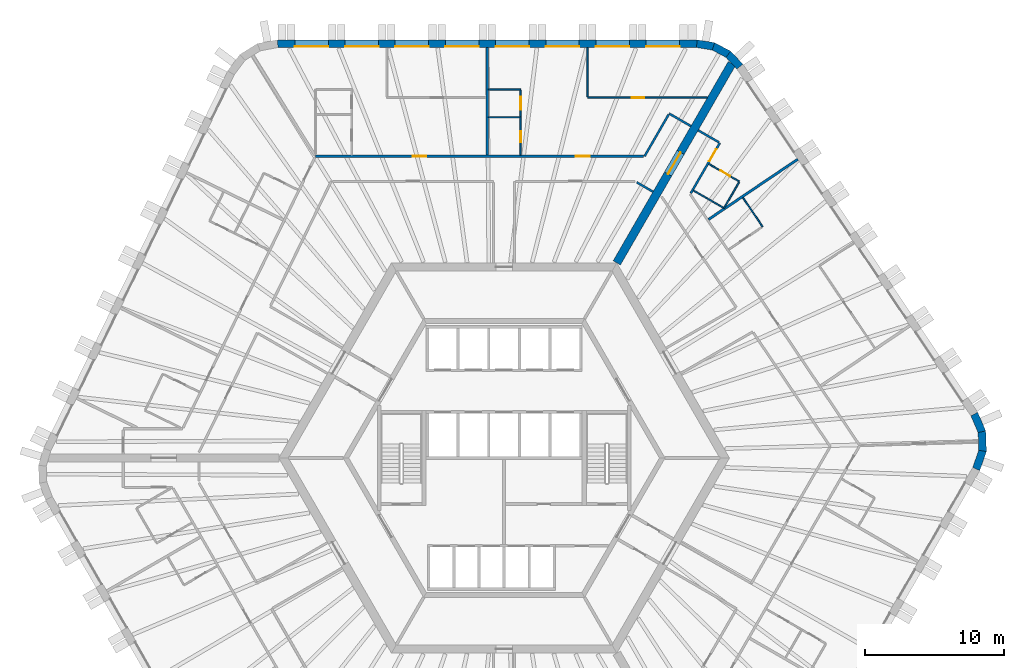
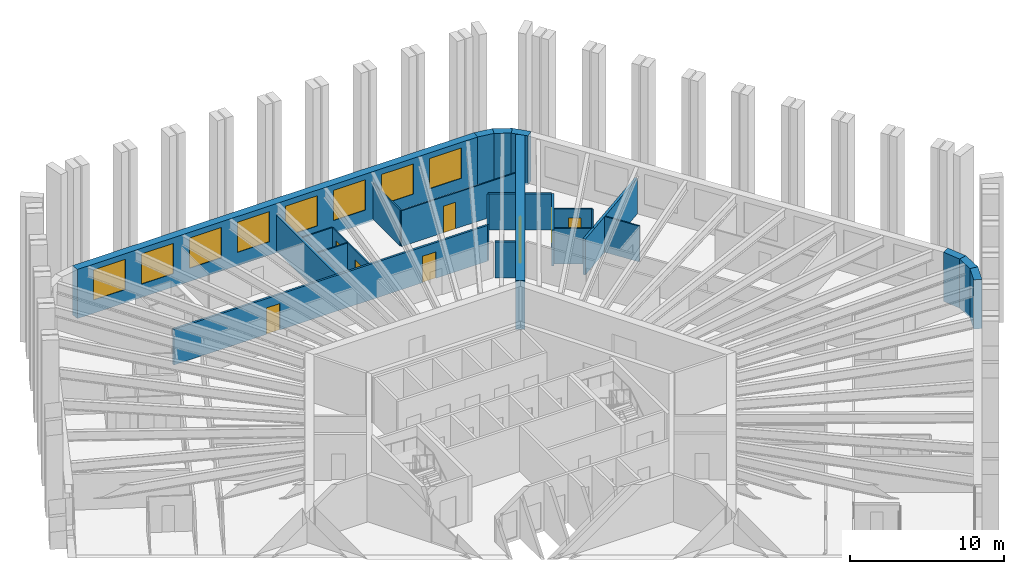
# One storey, part 10 of 13: 26 walls, 8 doors, 8 windows, 16 openings.
"""IFC4 building model written with IfcOpenShell, lengths in metres."""

from ifc_helpers import new_model, si_unit, direction, frame, frame_2d, origin, place, context, subcontext, project, spatial, polyline, rectangle, outline, extrude, material, layer, layer_set, type_object, element, fill, save


model = new_model("IFC4")

# Units and contexts
model_context = context("Model", 3, precision=1e-05, world=origin(), true_north=direction((0.0, 1.0)))
body_context = subcontext(model_context, "Body", "Model", "MODEL_VIEW")
ifc_project = project(units=[si_unit("LENGTHUNIT", "METRE"), si_unit("AREAUNIT", "SQUARE_METRE"), si_unit("VOLUMEUNIT", "CUBIC_METRE"), si_unit("PLANEANGLEUNIT", "RADIAN"), si_unit("MASSUNIT", "GRAM", prefix="KILO")], contexts=[model_context])

# Site, building, storey
site_placement = place(None, origin())
site = spatial("IfcSite", under=ifc_project, at=site_placement, CompositionType="ELEMENT")
building_placement = place(site_placement, origin())
building = spatial("IfcBuilding", under=site, at=building_placement, Name="Tarnside Tower", CompositionType="ELEMENT")
storey_placement = place(building_placement, frame((0.0, 0.0, 135.0)))
storey = spatial("IfcBuildingStorey", under=building, at=storey_placement, Name="L31", CompositionType="ELEMENT", Elevation=135.0)

# Wall, opening, door
ifc_material_1 = material(Name="Gypsum board partition on steel studs", Category="steel")
ifc_layer_1 = layer(ifc_material_1, 0.10009765625)
ifc_layer_set_1 = layer_set([ifc_layer_1], Name="Bathroom wall 100")
wall_type_1 = type_object("IfcWallType", Name="Bathroom wall 100", PredefinedType="PARTITIONING", material=ifc_layer_set_1)
wall_1_placement = place(storey_placement, frame((1.18896484375, 24.449951171875, 0.0), z_axis=(0.0, 0.0, 1.0), x_axis=(0.0, -1.0, 0.0)))
wall_1 = element("IfcWall", 1, at=wall_1_placement, inside=storey, type_object=wall_type_1, Name="Bathroom wall 10076", PredefinedType="PARTITIONING", context=body_context, shape_type="SweptSolid", body=[
    extrude(rectangle(XDim=2.724853515625, YDim=0.10009765625, at=frame_2d((1.3623046875, 0.0))), origin(), (0.0, 0.0, 1.0), 2.837890625),
])
opening_1_placement = place(wall_1_placement, frame((1.0, 0.0, 0.0)))
opening_1 = element("IfcOpeningElement", 2, at=opening_1_placement, cuts=wall_1, Name="Opening D-B1", PredefinedType="OPENING", context=body_context, shape_type="SweptSolid", body=[
    extrude(rectangle(XDim=0.800048828125, YDim=2.10009765625, at=frame_2d((0.39990234375, 1.050048828125))), frame((0.0, 0.06005859375, 0.0), z_axis=(0.0, -1.0, 0.0), x_axis=(1.0, 0.0, 0.0)), (0.0, 0.0, 1.0), 0.1201171875),
])
ifc_material_2 = material(Name="Timber door leaf", Category="wood")
door_type_1 = type_object("IfcDoorType", Name="Bathroom door 800", OperationType="NOTDEFINED", PredefinedType="DOOR", material=ifc_material_2)
door_1_placement = place(opening_1_placement, origin())
door_1 = element("IfcDoor", 3, at=door_1_placement, inside=storey, type_object=door_type_1, Name="Bathroom door 10002", OperationType="SINGLE_SWING_LEFT", OverallHeight=2.10009765625, OverallWidth=0.800048828125, PredefinedType="DOOR", context=body_context, shape_type="SweptSolid", body=[
    extrude(rectangle(XDim=0.800048828125, YDim=2.10009765625, at=frame_2d((0.39990234375, 1.050048828125))), frame((0.0, 0.02490234375, 0.0), z_axis=(0.0, -1.0, 0.0), x_axis=(1.0, 0.0, 0.0)), (0.0, 0.0, 1.0), 0.050048828125),
])
fill(opening_1, door_1)

# Walls
wall_2_placement = place(storey_placement, frame((1.138916015625, 24.449951171875, 0.0), z_axis=(0.0, 0.0, 1.0), x_axis=(-1.0, 0.0, 0.0)))
element("IfcWall", 4, at=wall_2_placement, inside=storey, type_object=wall_type_1, Name="Bathroom wall 10082", PredefinedType="PARTITIONING", context=body_context, shape_type="SweptSolid", body=[
    extrude(rectangle(XDim=2.260009765625, YDim=0.10009765625, at=frame_2d((1.1298828125, 0.0))), origin(), (0.0, 0.0, 1.0), 2.837890625),
])
wall_3_placement = place(storey_placement, frame((17.13720703125, 18.674560546875, 0.0), z_axis=(0.0, 0.0, 1.0), x_axis=(0.559203861497, -0.829030181168, 0.0)))
element("IfcWall", 5, at=wall_3_placement, inside=storey, type_object=wall_type_1, Name="Bathroom wall 10149", PredefinedType="PARTITIONING", context=body_context, shape_type="SweptSolid", body=[
    extrude(rectangle(XDim=2.510009765625, YDim=0.10009765625, at=frame_2d((1.2548828125, 0.0))), origin(), (0.0, 0.0, 1.0), 2.837890625),
])

# Wall, opening, door
wall_4_placement = place(storey_placement, frame((14.6904296875, 21.094482421875, 0.0), z_axis=(0.0, 0.0, 1.0), x_axis=(0.866039067339, -0.499976333282, 0.0)))
wall_4 = element("IfcWall", 6, at=wall_4_placement, inside=storey, type_object=wall_type_1, Name="Bathroom wall 10155", PredefinedType="PARTITIONING", context=body_context, shape_type="SweptSolid", body=[
    extrude(rectangle(XDim=2.52490234375, YDim=0.10009765625, at=frame_2d((1.262451171875, 0.0))), origin(), (0.0, 0.0, 1.0), 2.837890625),
])
opening_2_placement = place(wall_4_placement, frame((0.955078125, 0.0, 0.0)))
opening_2 = element("IfcOpeningElement", 7, at=opening_2_placement, cuts=wall_4, Name="Opening D-B1", PredefinedType="OPENING", context=body_context, shape_type="SweptSolid", body=[
    extrude(rectangle(XDim=0.800048828125, YDim=2.10009765625, at=frame_2d((0.39990234375, 1.050048828125))), frame((0.0, 0.06005859375, 0.0), z_axis=(0.0, -1.0, 0.0), x_axis=(1.0, 0.0, 0.0)), (0.0, 0.0, 1.0), 0.1201171875),
])
door_2_placement = place(opening_2_placement, origin())
door_2 = element("IfcDoor", 8, at=door_2_placement, inside=storey, type_object=door_type_1, Name="Bathroom door 10041", OperationType="SINGLE_SWING_LEFT", OverallHeight=2.10009765625, OverallWidth=0.800048828125, PredefinedType="DOOR", context=body_context, shape_type="SweptSolid", body=[
    extrude(rectangle(XDim=0.800048828125, YDim=2.10009765625, at=frame_2d((0.39990234375, 1.050048828125))), frame((0.0, 0.02490234375, 0.0), z_axis=(0.0, -1.0, 0.0), x_axis=(1.0, 0.0, 0.0)), (0.0, 0.0, 1.0), 0.050048828125),
])
fill(opening_2, door_2)

# Walls
wall_5_placement = place(storey_placement, frame((16.85205078125, 19.788818359375, 0.0), z_axis=(0.0, 0.0, 1.0), x_axis=(-0.499961633463, -0.866047553582, 0.0)))
element("IfcWall", 9, at=wall_5_placement, inside=storey, type_object=wall_type_1, Name="Bathroom wall 10156", PredefinedType="PARTITIONING", context=body_context, shape_type="SweptSolid", body=[
    extrude(rectangle(XDim=2.150146484375, YDim=0.10009765625, at=frame_2d((1.0751953125, 0.0))), origin(), (0.0, 0.0, 1.0), 2.837890625),
])
wall_6_placement = place(storey_placement, frame((15.73388671875, 17.95166015625, 0.0), z_axis=(0.0, 0.0, 1.0), x_axis=(-0.866031185235, 0.4999899861, 0.0)))
element("IfcWall", 10, at=wall_6_placement, inside=storey, type_object=wall_type_1, Name="Bathroom wall 10157", PredefinedType="PARTITIONING", context=body_context, shape_type="SweptSolid", body=[
    extrude(rectangle(XDim=2.47509765625, YDim=0.10009765625, at=frame_2d((1.237548828125, 0.0))), origin(), (0.0, 0.0, 1.0), 2.837890625),
])

# Wall, opening, door
ifc_material_3 = material(Name="Concrete C80/95", Category="concrete")
ifc_layer_2 = layer(ifc_material_3, 0.60009765625)
ifc_layer_set_2 = layer_set([ifc_layer_2], Name="Core wall Z1 600 C80/95")
wall_type_2 = type_object("IfcWallType", Name="Core wall Z1 600 C80/95", PredefinedType="SHEAR", material=ifc_layer_set_2)
wall_7_placement = place(storey_placement, frame((8.0830078125, 14.0, -0.14990234375), z_axis=(0.0, 0.0, 1.0), x_axis=(0.499997680643, 0.866026742862, 0.0)))
wall_7 = element("IfcWall", 11, at=wall_7_placement, inside=storey, type_object=wall_type_2, Name="L31 spine wall 1", PredefinedType="SHEAR", context=body_context, shape_type="SweptSolid", body=[
    extrude(rectangle(XDim=16.5087890625, YDim=0.60009765625, at=frame_2d((8.25439453125, 0.0))), origin(), (0.0, 0.0, 1.0), 3.89990234375),
])
opening_3_placement = place(wall_7_placement, frame((7.3544921875, 0.0, 0.14990234375)))
opening_3 = element("IfcOpeningElement", 12, at=opening_3_placement, cuts=wall_7, Name="Opening CD-SPN", PredefinedType="OPENING", context=body_context, shape_type="SweptSolid", body=[
    extrude(rectangle(XDim=1.800048828125, YDim=2.39990234375, at=frame_2d((0.89990234375, 1.199951171875))), frame((0.0, 0.31005859375, 0.0), z_axis=(0.0, -1.0, 0.0), x_axis=(1.0, 0.0, 0.0)), (0.0, 0.0, 1.0), 0.6201171875),
])
ifc_material_4 = material(Name="Steel fire door", Category="steel")
door_type_2 = type_object("IfcDoorType", Name="Spine passage double door FD60 1800x2400", OperationType="NOTDEFINED", PredefinedType="DOOR", material=ifc_material_4)
door_3_placement = place(opening_3_placement, origin())
door_3 = element("IfcDoor", 13, at=door_3_placement, inside=storey, type_object=door_type_2, Name="L31 spine passage door 1", OperationType="DOUBLE_DOOR_SINGLE_SWING", OverallHeight=2.39990234375, OverallWidth=1.800048828125, PredefinedType="DOOR", context=body_context, shape_type="SweptSolid", body=[
    extrude(rectangle(XDim=1.800048828125, YDim=2.39990234375, at=frame_2d((0.89990234375, 1.199951171875))), frame((0.0, 0.02490234375, 0.0), z_axis=(0.0, -1.0, 0.0), x_axis=(1.0, 0.0, 0.0)), (0.0, 0.0, 1.0), 0.050048828125),
])
fill(opening_3, door_3)

# Walls
ifc_layer_3 = layer(ifc_material_1, 0.14990234375)
ifc_layer_set_3 = layer_set([ifc_layer_3], Name="Corridor wall 150 EI 60")
wall_type_3 = type_object("IfcWallType", Name="Corridor wall 150 EI 60", PredefinedType="PARTITIONING", material=ifc_layer_set_3)
wall_8_placement = place(storey_placement, frame((13.400390625, 23.81005859375, 0.0), z_axis=(0.0, 0.0, 1.0), x_axis=(-0.865989075817, 0.500062916607, 0.0)))
element("IfcWall", 14, at=wall_8_placement, inside=storey, type_object=wall_type_3, Name="Corridor wall 10001", PredefinedType="PARTITIONING", context=body_context, shape_type="SweptSolid", body=[
    extrude(rectangle(XDim=1.800048828125, YDim=0.14990234375, at=frame_2d((0.89990234375, 0.0))), origin(), (0.0, 0.0, 1.0), 2.837890625),
])
wall_9_placement = place(storey_placement, frame((11.803955078125, 24.64501953125, 0.0), z_axis=(0.0, 0.0, 1.0), x_axis=(-0.500003541824, -0.866023358902, 0.0)))
element("IfcWall", 15, at=wall_9_placement, inside=storey, type_object=wall_type_3, Name="Corridor wall 10002", PredefinedType="PARTITIONING", context=body_context, shape_type="SweptSolid", body=[
    extrude(rectangle(XDim=3.45849609375, YDim=0.14990234375, at=frame_2d((1.729248046875, 0.0))), origin(), (0.0, 0.0, 1.0), 2.837890625),
])

# Wall, openings, doors
wall_10_placement = place(storey_placement, frame((9.988037109375, 21.64990234375, 0.0), z_axis=(0.0, 0.0, 1.0), x_axis=(-1.0, 0.0, 0.0)))
wall_10 = element("IfcWall", 16, at=wall_10_placement, inside=storey, type_object=wall_type_3, Name="Corridor wall 10003", PredefinedType="PARTITIONING", context=body_context, shape_type="SweptSolid", body=[
    extrude(rectangle(XDim=23.516357421875, YDim=0.14990234375, at=frame_2d((11.75830078125, 0.0))), origin(), (0.0, 0.0, 1.0), 2.837890625),
])
opening_4_placement = place(wall_10_placement, frame((3.856201171875, 0.0, 0.0)))
opening_4 = element("IfcOpeningElement", 17, at=opening_4_placement, cuts=wall_10, Name="Opening D-E1", PredefinedType="OPENING", context=body_context, shape_type="SweptSolid", body=[
    extrude(rectangle(XDim=1.0, YDim=2.10009765625, at=frame_2d((0.5, 1.050048828125))), frame((0.0, 0.0849609375, 0.0), z_axis=(0.0, -1.0, 0.0), x_axis=(1.0, 0.0, 0.0)), (0.0, 0.0, 1.0), 0.169921875),
])
opening_5_placement = place(wall_10_placement, frame((15.557861328125, 0.0, 0.0)))
opening_5 = element("IfcOpeningElement", 18, at=opening_5_placement, cuts=wall_10, Name="Opening D-E1", PredefinedType="OPENING", context=body_context, shape_type="SweptSolid", body=[
    extrude(rectangle(XDim=1.0, YDim=2.10009765625, at=frame_2d((0.5, 1.050048828125))), frame((0.0, 0.0849609375, 0.0), z_axis=(0.0, -1.0, 0.0), x_axis=(1.0, 0.0, 0.0)), (0.0, 0.0, 1.0), 0.169921875),
])
door_type_3 = type_object("IfcDoorType", Name="Unit entrance door 1000 FD30S", OperationType="NOTDEFINED", PredefinedType="DOOR", material=ifc_material_2)
door_4_placement = place(opening_4_placement, origin())
door_4 = element("IfcDoor", 19, at=door_4_placement, inside=storey, type_object=door_type_3, Name="Unit door 10001", OperationType="SINGLE_SWING_RIGHT", OverallHeight=2.10009765625, OverallWidth=1.0, PredefinedType="DOOR", context=body_context, shape_type="SweptSolid", body=[
    extrude(rectangle(XDim=1.0, YDim=2.10009765625, at=frame_2d((0.5, 1.050048828125))), frame((0.0, 0.02490234375, 0.0), z_axis=(0.0, -1.0, 0.0), x_axis=(1.0, 0.0, 0.0)), (0.0, 0.0, 1.0), 0.050048828125),
])
fill(opening_4, door_4)
door_5_placement = place(opening_5_placement, origin())
door_5 = element("IfcDoor", 20, at=door_5_placement, inside=storey, type_object=door_type_3, Name="Unit door 10005", OperationType="SINGLE_SWING_LEFT", OverallHeight=2.10009765625, OverallWidth=1.0, PredefinedType="DOOR", context=body_context, shape_type="SweptSolid", body=[
    extrude(rectangle(XDim=1.0, YDim=2.10009765625, at=frame_2d((0.5, 1.050048828125))), frame((0.0, 0.02490234375, 0.0), z_axis=(0.0, -1.0, 0.0), x_axis=(1.0, 0.0, 0.0)), (0.0, 0.0, 1.0), 0.050048828125),
])
fill(opening_5, door_5)

# Wall
wall_11_placement = place(storey_placement, frame((9.51904296875, 19.77490234375, 0.0), z_axis=(0.0, 0.0, 1.0), x_axis=(0.866043397086, -0.499968833392, 0.0)))
element("IfcWall", 21, at=wall_11_placement, inside=storey, type_object=wall_type_3, Name="Corridor wall 10022", PredefinedType="PARTITIONING", context=body_context, shape_type="SweptSolid", body=[
    extrude(rectangle(XDim=1.34375, YDim=0.14990234375, at=frame_2d((0.671875, 0.0))), origin(), (0.0, 0.0, 1.0), 2.837890625),
])

# Wall, opening, door
wall_12_placement = place(storey_placement, frame((13.39208984375, 18.995849609375, 0.0), z_axis=(0.0, 0.0, 1.0), x_axis=(0.499995902753, 0.866027769318, 0.0)))
wall_12 = element("IfcWall", 22, at=wall_12_placement, inside=storey, type_object=wall_type_3, Name="Corridor wall 10063", PredefinedType="PARTITIONING", context=body_context, shape_type="SweptSolid", body=[
    extrude(rectangle(XDim=4.17333984375, YDim=0.14990234375, at=frame_2d((2.086669921875, 0.0))), origin(), (0.0, 0.0, 1.0), 2.837890625),
])
opening_6_placement = place(wall_12_placement, frame((2.64501953125, 0.0, 0.0)))
opening_6 = element("IfcOpeningElement", 23, at=opening_6_placement, cuts=wall_12, Name="Opening D-E1", PredefinedType="OPENING", context=body_context, shape_type="SweptSolid", body=[
    extrude(rectangle(XDim=1.0, YDim=2.10009765625, at=frame_2d((0.5, 1.050048828125))), frame((0.0, 0.0849609375, 0.0), z_axis=(0.0, -1.0, 0.0), x_axis=(1.0, 0.0, 0.0)), (0.0, 0.0, 1.0), 0.169921875),
])
door_6_placement = place(opening_6_placement, origin())
door_6 = element("IfcDoor", 24, at=door_6_placement, inside=storey, type_object=door_type_3, Name="Unit door 10040", OperationType="SINGLE_SWING_LEFT", OverallHeight=2.10009765625, OverallWidth=1.0, PredefinedType="DOOR", context=body_context, shape_type="SweptSolid", body=[
    extrude(rectangle(XDim=1.0, YDim=2.10009765625, at=frame_2d((0.5, 1.050048828125))), frame((0.0, 0.02490234375, 0.0), z_axis=(0.0, -1.0, 0.0), x_axis=(1.0, 0.0, 0.0)), (0.0, 0.0, 1.0), 0.050048828125),
])
fill(opening_6, door_6)

# Walls
wall_13_placement = place(storey_placement, frame((15.413818359375, 22.647705078125, 0.0), z_axis=(0.0, 0.0, 1.0), x_axis=(-0.866074815912, 0.499914405916, 0.0)))
element("IfcWall", 25, at=wall_13_placement, inside=storey, type_object=wall_type_3, Name="Corridor wall 10065", PredefinedType="PARTITIONING", context=body_context, shape_type="SweptSolid", body=[
    extrude(rectangle(XDim=1.724853515625, YDim=0.14990234375, at=frame_2d((0.8623046875, 0.0))), origin(), (0.0, 0.0, 1.0), 2.837890625),
])
ifc_layer_4 = layer(ifc_material_1, 0.179931640625)
ifc_layer_set_4 = layer_set([ifc_layer_4], Name="Demising wall 180 EI 60")
wall_type_4 = type_object("IfcWallType", Name="Demising wall 180 EI 60", PredefinedType="PARTITIONING", material=ifc_layer_set_4)
wall_14_placement = place(storey_placement, frame((-1.2109375, 29.449951171875, 0.0), z_axis=(0.0, 0.0, 1.0), x_axis=(0.0, -1.0, 0.0)))
element("IfcWall", 26, at=wall_14_placement, inside=storey, type_object=wall_type_4, Name="Demising wall 10081", PredefinedType="PARTITIONING", context=body_context, shape_type="SweptSolid", body=[
    extrude(rectangle(XDim=7.724853515625, YDim=0.179931640625, at=frame_2d((3.8623046875, 0.0))), origin(), (0.0, 0.0, 1.0), 2.837890625),
])
wall_15_placement = place(storey_placement, frame((21.066162109375, 21.433349609375, 0.0), z_axis=(0.0, 0.0, 1.0), x_axis=(-0.82903328576, -0.559199258853, 0.0)))
element("IfcWall", 27, at=wall_15_placement, inside=storey, type_object=wall_type_4, Name="Demising wall 10153", PredefinedType="PARTITIONING", context=body_context, shape_type="SweptSolid", body=[
    extrude(rectangle(XDim=7.72509765625, YDim=0.179931640625, at=frame_2d((3.862548828125, 0.0))), origin(), (0.0, 0.0, 1.0), 2.837890625),
])
ifc_layer_5 = layer(ifc_material_1, 0.10009765625)
ifc_layer_set_5 = layer_set([ifc_layer_5], Name="Partition 100")
wall_type_5 = type_object("IfcWallType", Name="Partition 100", PredefinedType="PARTITIONING", material=ifc_layer_set_5)
wall_16_placement = place(storey_placement, frame((-1.12109375, 26.449951171875, 0.0), z_axis=(0.0, 0.0, 1.0), x_axis=(1.0, 0.0, 0.0)))
element("IfcWall", 28, at=wall_16_placement, inside=storey, type_object=wall_type_5, Name="Partition wall 10077", PredefinedType="PARTITIONING", context=body_context, shape_type="SweptSolid", body=[
    extrude(rectangle(XDim=2.31005859375, YDim=0.10009765625, at=frame_2d((1.155029296875, 0.0))), origin(), (0.0, 0.0, 1.0), 2.837890625),
])

# Wall, opening, door
wall_17_placement = place(storey_placement, frame((1.18896484375, 26.39990234375, 0.0), z_axis=(0.0, 0.0, 1.0), x_axis=(0.0, -1.0, 0.0)))
wall_17 = element("IfcWall", 29, at=wall_17_placement, inside=storey, type_object=wall_type_5, Name="Partition wall 10078", PredefinedType="PARTITIONING", context=body_context, shape_type="SweptSolid", body=[
    extrude(rectangle(XDim=1.89990234375, YDim=0.10009765625, at=frame_2d((0.949951171875, 0.0))), origin(), (0.0, 0.0, 1.0), 2.837890625),
])
opening_7_placement = place(wall_17_placement, frame((0.5, 0.0, 0.0)))
opening_7 = element("IfcOpeningElement", 30, at=opening_7_placement, cuts=wall_17, Name="Opening D-I1", PredefinedType="OPENING", context=body_context, shape_type="SweptSolid", body=[
    extrude(rectangle(XDim=0.89990234375, YDim=2.10009765625, at=frame_2d((0.449951171875, 1.050048828125))), frame((0.0, 0.06005859375, 0.0), z_axis=(0.0, -1.0, 0.0), x_axis=(1.0, 0.0, 0.0)), (0.0, 0.0, 1.0), 0.1201171875),
])
door_type_4 = type_object("IfcDoorType", Name="Internal door 900", OperationType="NOTDEFINED", PredefinedType="DOOR", material=ifc_material_2)
door_7_placement = place(opening_7_placement, origin())
door_7 = element("IfcDoor", 31, at=door_7_placement, inside=storey, type_object=door_type_4, Name="Internal door 10003", OperationType="SINGLE_SWING_LEFT", OverallHeight=2.10009765625, OverallWidth=0.89990234375, PredefinedType="DOOR", context=body_context, shape_type="SweptSolid", body=[
    extrude(rectangle(XDim=0.89990234375, YDim=2.10009765625, at=frame_2d((0.449951171875, 1.050048828125))), frame((0.0, 0.02490234375, 0.0), z_axis=(0.0, -1.0, 0.0), x_axis=(1.0, 0.0, 0.0)), (0.0, 0.0, 1.0), 0.050048828125),
])
fill(opening_7, door_7)

wall_18_placement = place(storey_placement, frame((14.578125, 25.85009765625, 0.0), z_axis=(0.0, 0.0, 1.0), x_axis=(-1.0, 0.0, 0.0)))
wall_18 = element("IfcWall", 32, at=wall_18_placement, inside=storey, type_object=wall_type_5, Name="Partition wall 10079", PredefinedType="PARTITIONING", context=body_context, shape_type="SweptSolid", body=[
    extrude(rectangle(XDim=8.589111328125, YDim=0.10009765625, at=frame_2d((4.29443359375, 0.0))), origin(), (0.0, 0.0, 1.0), 2.837890625),
])
opening_8_placement = place(wall_18_placement, frame((4.5390625, 0.0, 0.0)))
opening_8 = element("IfcOpeningElement", 33, at=opening_8_placement, cuts=wall_18, Name="Opening D-I1", PredefinedType="OPENING", context=body_context, shape_type="SweptSolid", body=[
    extrude(rectangle(XDim=0.89990234375, YDim=2.10009765625, at=frame_2d((0.449951171875, 1.050048828125))), frame((0.0, 0.06005859375, 0.0), z_axis=(0.0, -1.0, 0.0), x_axis=(1.0, 0.0, 0.0)), (0.0, 0.0, 1.0), 0.1201171875),
])
door_8_placement = place(opening_8_placement, origin())
door_8 = element("IfcDoor", 34, at=door_8_placement, inside=storey, type_object=door_type_4, Name="Internal door 10004", OperationType="SINGLE_SWING_LEFT", OverallHeight=2.10009765625, OverallWidth=0.89990234375, PredefinedType="DOOR", context=body_context, shape_type="SweptSolid", body=[
    extrude(rectangle(XDim=0.89990234375, YDim=2.10009765625, at=frame_2d((0.449951171875, 1.050048828125))), frame((0.0, 0.02490234375, 0.0), z_axis=(0.0, -1.0, 0.0), x_axis=(1.0, 0.0, 0.0)), (0.0, 0.0, 1.0), 0.050048828125),
])
fill(opening_8, door_8)

# Wall
wall_19_placement = place(storey_placement, frame((5.989013671875, 25.89990234375, 0.0), z_axis=(0.0, 0.0, 1.0), x_axis=(0.0, 1.0, 0.0)))
element("IfcWall", 35, at=wall_19_placement, inside=storey, type_object=wall_type_5, Name="Partition wall 10080", PredefinedType="PARTITIONING", context=body_context, shape_type="SweptSolid", body=[
    extrude(rectangle(XDim=3.550048828125, YDim=0.10009765625, at=frame_2d((1.77490234375, 0.0))), origin(), (0.0, 0.0, 1.0), 2.837890625),
])

# Wall, openings, windows
ifc_material_5 = material(Name="Facing brick", Category="masonry")
ifc_layer_6 = layer(ifc_material_5, 0.10205078125)
ifc_material_6 = material(Name="Concrete C60/75 precast", Category="concrete")
ifc_layer_7 = layer(ifc_material_6, 0.347900390625)
ifc_material_7 = material(Name="Mineral wool insulation")
ifc_layer_8 = layer(ifc_material_7, 0.10009765625)
ifc_layer_set_6 = layer_set([ifc_layer_6, ifc_layer_7, ifc_layer_8], Name="Tube wall 550 brick faced")
wall_type_6 = type_object("IfcWallType", Name="Tube wall 550 brick faced", PredefinedType="SOLIDWALL", material=ifc_layer_set_6)
wall_20_placement = place(storey_placement, frame((13.824462890625, 29.72509765625, -0.14990234375), z_axis=(0.0, 0.0, 1.0), x_axis=(-1.0, 0.0, 0.0)))
wall_20 = element("IfcWall", 36, at=wall_20_placement, inside=storey, type_object=wall_type_6, Name="Tube wall L31 F1 flush 00", PredefinedType="SOLIDWALL", context=body_context, shape_type="SweptSolid", body=[
    extrude(outline(polyline([(-0.0224609375, -0.27490234375), (30.0966796875, -0.27490234375), (30.04541015625, 0.27490234375), (0.0224609375, 0.27490234375), (-0.0224609375, -0.27490234375)])), origin(), (0.0, 0.0, 1.0), 3.89990234375),
])
opening_9_placement = place(wall_20_placement, frame((1.235595703125, 0.0, 1.050048828125)))
opening_9 = element("IfcOpeningElement", 37, at=opening_9_placement, cuts=wall_20, Name="Opening WH", PredefinedType="OPENING", context=body_context, shape_type="SweptSolid", body=[
    extrude(rectangle(XDim=2.39990234375, YDim=2.39990234375, at=frame_2d((1.199951171875, 1.199951171875))), frame((0.0, 0.28515625, 0.0), z_axis=(0.0, -1.0, 0.0), x_axis=(1.0, 0.0, 0.0)), (0.0, 0.0, 1.0), 0.570068359375),
])
opening_10_placement = place(wall_20_placement, frame((4.83544921875, 0.0, 1.050048828125)))
opening_10 = element("IfcOpeningElement", 38, at=opening_10_placement, cuts=wall_20, Name="Opening WH", PredefinedType="OPENING", context=body_context, shape_type="SweptSolid", body=[
    extrude(rectangle(XDim=2.39990234375, YDim=2.39990234375, at=frame_2d((1.199951171875, 1.199951171875))), frame((0.0, 0.28515625, 0.0), z_axis=(0.0, -1.0, 0.0), x_axis=(1.0, 0.0, 0.0)), (0.0, 0.0, 1.0), 0.570068359375),
])
opening_11_placement = place(wall_20_placement, frame((8.435546875, 0.0, 1.050048828125)))
opening_11 = element("IfcOpeningElement", 39, at=opening_11_placement, cuts=wall_20, Name="Opening WH", PredefinedType="OPENING", context=body_context, shape_type="SweptSolid", body=[
    extrude(rectangle(XDim=2.39990234375, YDim=2.39990234375, at=frame_2d((1.199951171875, 1.199951171875))), frame((0.0, 0.28515625, 0.0), z_axis=(0.0, -1.0, 0.0), x_axis=(1.0, 0.0, 0.0)), (0.0, 0.0, 1.0), 0.570068359375),
])
opening_12_placement = place(wall_20_placement, frame((12.035400390625, 0.0, 1.050048828125)))
opening_12 = element("IfcOpeningElement", 40, at=opening_12_placement, cuts=wall_20, Name="Opening WH", PredefinedType="OPENING", context=body_context, shape_type="SweptSolid", body=[
    extrude(rectangle(XDim=2.39990234375, YDim=2.39990234375, at=frame_2d((1.199951171875, 1.199951171875))), frame((0.0, 0.28515625, 0.0), z_axis=(0.0, -1.0, 0.0), x_axis=(1.0, 0.0, 0.0)), (0.0, 0.0, 1.0), 0.570068359375),
])
opening_13_placement = place(wall_20_placement, frame((15.635498046875, 0.0, 1.050048828125)))
opening_13 = element("IfcOpeningElement", 41, at=opening_13_placement, cuts=wall_20, Name="Opening WH", PredefinedType="OPENING", context=body_context, shape_type="SweptSolid", body=[
    extrude(rectangle(XDim=2.39990234375, YDim=2.39990234375, at=frame_2d((1.199951171875, 1.199951171875))), frame((0.0, 0.28515625, 0.0), z_axis=(0.0, -1.0, 0.0), x_axis=(1.0, 0.0, 0.0)), (0.0, 0.0, 1.0), 0.570068359375),
])
opening_14_placement = place(wall_20_placement, frame((19.235595703125, 0.0, 1.050048828125)))
opening_14 = element("IfcOpeningElement", 42, at=opening_14_placement, cuts=wall_20, Name="Opening WH", PredefinedType="OPENING", context=body_context, shape_type="SweptSolid", body=[
    extrude(rectangle(XDim=2.39990234375, YDim=2.39990234375, at=frame_2d((1.199951171875, 1.199951171875))), frame((0.0, 0.28515625, 0.0), z_axis=(0.0, -1.0, 0.0), x_axis=(1.0, 0.0, 0.0)), (0.0, 0.0, 1.0), 0.570068359375),
])
opening_15_placement = place(wall_20_placement, frame((22.83544921875, 0.0, 1.050048828125)))
opening_15 = element("IfcOpeningElement", 43, at=opening_15_placement, cuts=wall_20, Name="Opening WH", PredefinedType="OPENING", context=body_context, shape_type="SweptSolid", body=[
    extrude(rectangle(XDim=2.39990234375, YDim=2.39990234375, at=frame_2d((1.199951171875, 1.199951171875))), frame((0.0, 0.28515625, 0.0), z_axis=(0.0, -1.0, 0.0), x_axis=(1.0, 0.0, 0.0)), (0.0, 0.0, 1.0), 0.570068359375),
])
opening_16_placement = place(wall_20_placement, frame((26.435546875, 0.0, 1.050048828125)))
opening_16 = element("IfcOpeningElement", 44, at=opening_16_placement, cuts=wall_20, Name="Opening WH", PredefinedType="OPENING", context=body_context, shape_type="SweptSolid", body=[
    extrude(rectangle(XDim=2.39990234375, YDim=2.39990234375, at=frame_2d((1.199951171875, 1.199951171875))), frame((0.0, 0.28515625, 0.0), z_axis=(0.0, -1.0, 0.0), x_axis=(1.0, 0.0, 0.0)), (0.0, 0.0, 1.0), 0.570068359375),
])
ifc_material_8 = material(Name="Aluminium-framed double glazing", Category="aluminium")
window_type = type_object("IfcWindowType", Name="Hotel window 2400 x 2400", PartitioningType="DOUBLE_PANEL_VERTICAL", PredefinedType="WINDOW", material=ifc_material_8)
window_1_placement = place(opening_9_placement, frame((0.0, 0.205078125, 0.0)))
window_1 = element("IfcWindow", 45, at=window_1_placement, inside=storey, type_object=window_type, Name="E.WN.L31.F1.00", OverallHeight=2.39990234375, OverallWidth=2.39990234375, PartitioningType="DOUBLE_PANEL_VERTICAL", PredefinedType="WINDOW", context=body_context, shape_type="SweptSolid", body=[
    extrude(rectangle(XDim=2.39990234375, YDim=2.39990234375, at=frame_2d((1.199951171875, 1.199951171875))), frame((0.0, 0.030029296875, 0.0), z_axis=(0.0, -1.0, 0.0), x_axis=(1.0, 0.0, 0.0)), (0.0, 0.0, 1.0), 0.06005859375),
])
fill(opening_9, window_1)
window_2_placement = place(opening_10_placement, frame((0.0, 0.205078125, 0.0)))
window_2 = element("IfcWindow", 46, at=window_2_placement, inside=storey, type_object=window_type, Name="E.WN.L31.F1.01", OverallHeight=2.39990234375, OverallWidth=2.39990234375, PartitioningType="DOUBLE_PANEL_VERTICAL", PredefinedType="WINDOW", context=body_context, shape_type="SweptSolid", body=[
    extrude(rectangle(XDim=2.39990234375, YDim=2.39990234375, at=frame_2d((1.199951171875, 1.199951171875))), frame((0.0, 0.030029296875, 0.0), z_axis=(0.0, -1.0, 0.0), x_axis=(1.0, 0.0, 0.0)), (0.0, 0.0, 1.0), 0.06005859375),
])
fill(opening_10, window_2)
window_3_placement = place(opening_11_placement, frame((0.0, 0.205078125, 0.0)))
window_3 = element("IfcWindow", 47, at=window_3_placement, inside=storey, type_object=window_type, Name="E.WN.L31.F1.02", OverallHeight=2.39990234375, OverallWidth=2.39990234375, PartitioningType="DOUBLE_PANEL_VERTICAL", PredefinedType="WINDOW", context=body_context, shape_type="SweptSolid", body=[
    extrude(rectangle(XDim=2.39990234375, YDim=2.39990234375, at=frame_2d((1.199951171875, 1.199951171875))), frame((0.0, 0.030029296875, 0.0), z_axis=(0.0, -1.0, 0.0), x_axis=(1.0, 0.0, 0.0)), (0.0, 0.0, 1.0), 0.06005859375),
])
fill(opening_11, window_3)
window_4_placement = place(opening_12_placement, frame((0.0, 0.205078125, 0.0)))
window_4 = element("IfcWindow", 48, at=window_4_placement, inside=storey, type_object=window_type, Name="E.WN.L31.F1.03", OverallHeight=2.39990234375, OverallWidth=2.39990234375, PartitioningType="DOUBLE_PANEL_VERTICAL", PredefinedType="WINDOW", context=body_context, shape_type="SweptSolid", body=[
    extrude(rectangle(XDim=2.39990234375, YDim=2.39990234375, at=frame_2d((1.199951171875, 1.199951171875))), frame((0.0, 0.030029296875, 0.0), z_axis=(0.0, -1.0, 0.0), x_axis=(1.0, 0.0, 0.0)), (0.0, 0.0, 1.0), 0.06005859375),
])
fill(opening_12, window_4)
window_5_placement = place(opening_13_placement, frame((0.0, 0.205078125, 0.0)))
window_5 = element("IfcWindow", 49, at=window_5_placement, inside=storey, type_object=window_type, Name="E.WN.L31.F1.04", OverallHeight=2.39990234375, OverallWidth=2.39990234375, PartitioningType="DOUBLE_PANEL_VERTICAL", PredefinedType="WINDOW", context=body_context, shape_type="SweptSolid", body=[
    extrude(rectangle(XDim=2.39990234375, YDim=2.39990234375, at=frame_2d((1.199951171875, 1.199951171875))), frame((0.0, 0.030029296875, 0.0), z_axis=(0.0, -1.0, 0.0), x_axis=(1.0, 0.0, 0.0)), (0.0, 0.0, 1.0), 0.06005859375),
])
fill(opening_13, window_5)
window_6_placement = place(opening_14_placement, frame((0.0, 0.205078125, 0.0)))
window_6 = element("IfcWindow", 50, at=window_6_placement, inside=storey, type_object=window_type, Name="E.WN.L31.F1.05", OverallHeight=2.39990234375, OverallWidth=2.39990234375, PartitioningType="DOUBLE_PANEL_VERTICAL", PredefinedType="WINDOW", context=body_context, shape_type="SweptSolid", body=[
    extrude(rectangle(XDim=2.39990234375, YDim=2.39990234375, at=frame_2d((1.199951171875, 1.199951171875))), frame((0.0, 0.030029296875, 0.0), z_axis=(0.0, -1.0, 0.0), x_axis=(1.0, 0.0, 0.0)), (0.0, 0.0, 1.0), 0.06005859375),
])
fill(opening_14, window_6)
window_7_placement = place(opening_15_placement, frame((0.0, 0.205078125, 0.0)))
window_7 = element("IfcWindow", 51, at=window_7_placement, inside=storey, type_object=window_type, Name="E.WN.L31.F1.06", OverallHeight=2.39990234375, OverallWidth=2.39990234375, PartitioningType="DOUBLE_PANEL_VERTICAL", PredefinedType="WINDOW", context=body_context, shape_type="SweptSolid", body=[
    extrude(rectangle(XDim=2.39990234375, YDim=2.39990234375, at=frame_2d((1.199951171875, 1.199951171875))), frame((0.0, 0.030029296875, 0.0), z_axis=(0.0, -1.0, 0.0), x_axis=(1.0, 0.0, 0.0)), (0.0, 0.0, 1.0), 0.06005859375),
])
fill(opening_15, window_7)
window_8_placement = place(opening_16_placement, frame((0.0, 0.205078125, 0.0)))
window_8 = element("IfcWindow", 52, at=window_8_placement, inside=storey, type_object=window_type, Name="E.WN.L31.F1.07", OverallHeight=2.39990234375, OverallWidth=2.39990234375, PartitioningType="DOUBLE_PANEL_VERTICAL", PredefinedType="WINDOW", context=body_context, shape_type="SweptSolid", body=[
    extrude(rectangle(XDim=2.39990234375, YDim=2.39990234375, at=frame_2d((1.199951171875, 1.199951171875))), frame((0.0, 0.030029296875, 0.0), z_axis=(0.0, -1.0, 0.0), x_axis=(1.0, 0.0, 0.0)), (0.0, 0.0, 1.0), 0.06005859375),
])
fill(opening_16, window_8)

# Walls
wall_21_placement = place(storey_placement, frame((33.865966796875, -0.79248046875, -0.14990234375), z_axis=(0.0, 0.0, 1.0), x_axis=(0.33111537203, 0.943590276765, 0.0)))
element("IfcWall", 53, at=wall_21_placement, inside=storey, type_object=wall_type_6, Name="Tube wall L31 F5 chord 17", PredefinedType="SOLIDWALL", context=body_context, shape_type="SweptSolid", body=[
    extrude(outline(polyline([(-0.025634765625, -0.27490234375), (1.4306640625, -0.27490234375), (1.3271484375, 0.27490234375), (0.025634765625, 0.27490234375), (-0.025634765625, -0.27490234375)])), origin(), (0.0, 0.0, 1.0), 3.89990234375),
])
wall_22_placement = place(storey_placement, frame((34.322509765625, 0.508544921875, -0.14990234375), z_axis=(0.0, 0.0, 1.0), x_axis=(-0.034876908462, 0.999391615562, 0.0)))
element("IfcWall", 54, at=wall_22_placement, inside=storey, type_object=wall_type_6, Name="Tube wall L31 F5 chord 18", PredefinedType="SOLIDWALL", context=body_context, shape_type="SweptSolid", body=[
    extrude(outline(polyline([(-0.0517578125, -0.27490234375), (1.4306640625, -0.27490234375), (1.3271484375, 0.27490234375), (0.0517578125, 0.27490234375), (-0.0517578125, -0.27490234375)])), origin(), (0.0, 0.0, 1.0), 3.89990234375),
])
wall_23_placement = place(storey_placement, frame((34.2744140625, 1.88671875, -0.14990234375), z_axis=(0.0, 0.0, 1.0), x_axis=(-0.396161342798, 0.918180913803, 0.0)))
element("IfcWall", 55, at=wall_23_placement, inside=storey, type_object=wall_type_6, Name="Tube wall L31 F5 chord 19", PredefinedType="SOLIDWALL", context=body_context, shape_type="SweptSolid", body=[
    extrude(outline(polyline([(-0.0517578125, -0.27490234375), (1.40478515625, -0.27490234375), (1.353515625, 0.27490234375), (0.0517578125, 0.27490234375), (-0.0517578125, -0.27490234375)])), origin(), (0.0, 0.0, 1.0), 3.89990234375),
])
wall_24_placement = place(storey_placement, frame((16.91259765625, 28.0830078125, -0.14990234375), z_axis=(0.0, 0.0, 1.0), x_axis=(-0.686196220404, 0.727416488061, 0.0)))
element("IfcWall", 56, at=wall_24_placement, inside=storey, type_object=wall_type_6, Name="Tube wall L31 F6 chord 21", PredefinedType="SOLIDWALL", context=body_context, shape_type="SweptSolid", body=[
    extrude(outline(polyline([(-0.0224609375, -0.27490234375), (1.25341796875, -0.27490234375), (1.1630859375, 0.27490234375), (0.0224609375, 0.27490234375), (-0.0224609375, -0.27490234375)])), origin(), (0.0, 0.0, 1.0), 3.89990234375),
])
wall_25_placement = place(storey_placement, frame((16.08349609375, 28.9619140625, -0.14990234375), z_axis=(0.0, 0.0, 1.0), x_axis=(-0.882995347911, 0.469381737574, 0.0)))
element("IfcWall", 57, at=wall_25_placement, inside=storey, type_object=wall_type_6, Name="Tube wall L31 F6 chord 22", PredefinedType="SOLIDWALL", context=body_context, shape_type="SweptSolid", body=[
    extrude(outline(polyline([(-0.045166015625, -0.27490234375), (1.25341796875, -0.27490234375), (1.1630859375, 0.27490234375), (0.045166015625, 0.27490234375), (-0.045166015625, -0.27490234375)])), origin(), (0.0, 0.0, 1.0), 3.89990234375),
])
wall_26_placement = place(storey_placement, frame((15.0166015625, 29.529052734375, -0.14990234375), z_axis=(0.0, 0.0, 1.0), x_axis=(-0.986746625868, 0.162268593195, 0.0)))
element("IfcWall", 58, at=wall_26_placement, inside=storey, type_object=wall_type_6, Name="Tube wall L31 F6 chord 23", PredefinedType="SOLIDWALL", context=body_context, shape_type="SweptSolid", body=[
    extrude(outline(polyline([(-0.045166015625, -0.27490234375), (1.230712890625, -0.27490234375), (1.185791015625, 0.27490234375), (0.045166015625, 0.27490234375), (-0.045166015625, -0.27490234375)])), origin(), (0.0, 0.0, 1.0), 3.89990234375),
])

save(model, "model.ifc")
